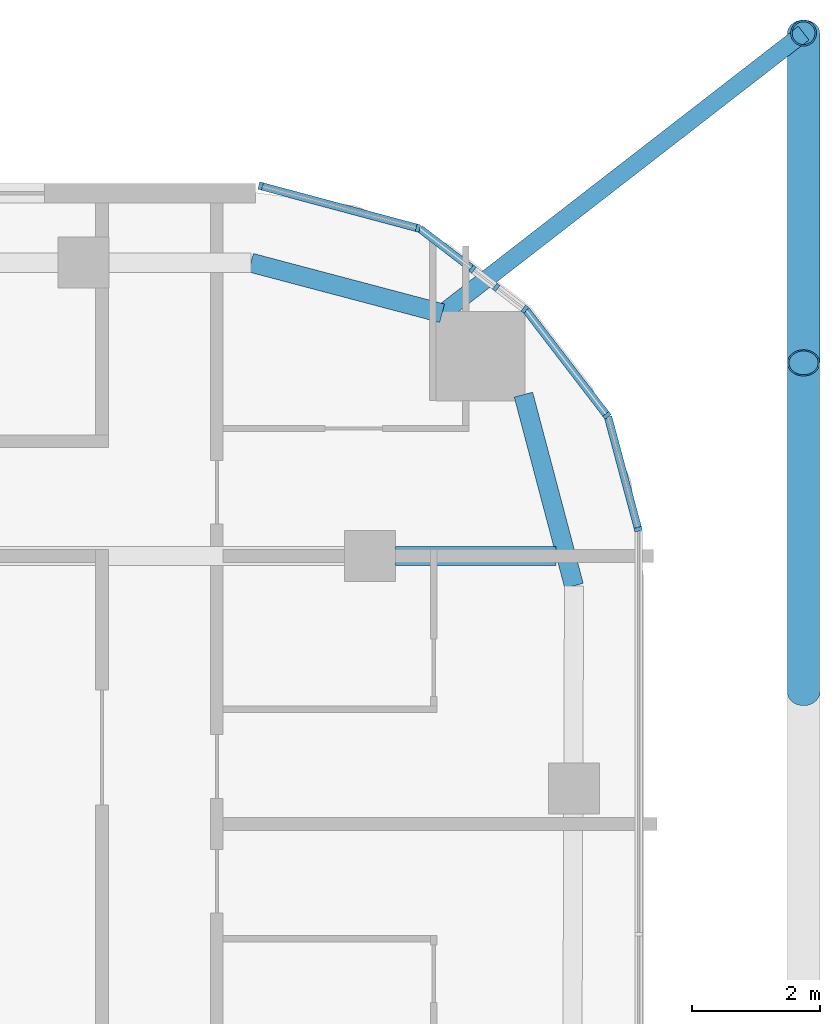
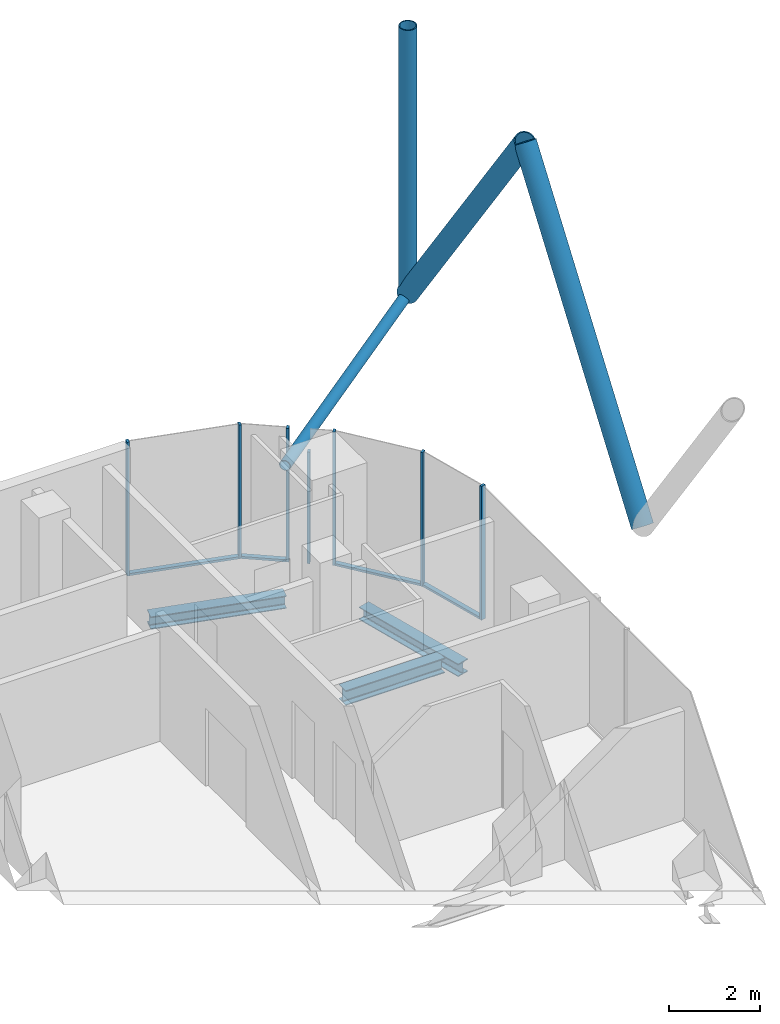
# One storey, part 11 of 28: 15 members, 3 beams, 6 elements without a shape of their own.
"""IFC4 building model written with IfcOpenShell, lengths in metres."""

import ifcopenshell
import ifcopenshell.guid

model = None  # the IFC model being written
_history = None  # IfcOwnerHistory: only IFC2X3 demands one
_inside = {}  # id of a spatial element -> (the spatial element, [elements in it])
_under = {}  # id of a project, library or spatial element -> (it, [spatial elements below it])
_declared = {}  # id of a project -> (the project, [libraries it declares])
_typed = {}  # id of a type object -> (the type object, [elements of that type])
_made_of = {}  # id of a material, layer set ... -> (it, [elements and type objects made of it])


def new_model(schema):
    """Start an empty IFC model of exactly this schema.

    Asked for "IFC4X3", IfcOpenShell would pick the latest addendum, in which some entities
    have other attributes; the version numbers below select the first issue.
    IFC2X3 requires an IfcOwnerHistory on every rooted entity: one is made here for all.
    """
    global model, _history
    if schema == "IFC4X3":
        model = ifcopenshell.file(schema_version=(4, 3, 0, 0))
    else:
        model = ifcopenshell.file(schema=schema)
    _inside.clear()
    _under.clear()
    _declared.clear()
    _typed.clear()
    _made_of.clear()
    _history = None
    if model.schema == "IFC2X3":
        org = make("IfcOrganization", Name="unknown")
        user = make(
            "IfcPersonAndOrganization",
            ThePerson=make("IfcPerson", FamilyName="unknown"),
            TheOrganization=org,
        )
        app = make(
            "IfcApplication",
            ApplicationDeveloper=org,
            Version="unknown",
            ApplicationFullName="unknown",
            ApplicationIdentifier="unknown",
        )
        _history = make(
            "IfcOwnerHistory",
            OwningUser=user,
            OwningApplication=app,
            ChangeAction="ADDED",
            CreationDate=0,
        )
    return model


def make(cls, **values):
    """One entity of the class cls with the attributes given. An attribute that is None is left unset."""
    return model.create_entity(
        cls, **{name: value for name, value in values.items() if value is not None}
    )


def rooted(cls, **values):
    """An entity with a GlobalId (a new one), such as an element, a storey or a relation."""
    return make(cls, GlobalId=ifcopenshell.guid.new(), OwnerHistory=_history, **values)


def si_unit(unit_type, name, prefix=None):
    """IfcSIUnit, for example si_unit("LENGTHUNIT", "METRE", prefix="MILLI")."""
    return make("IfcSIUnit", UnitType=unit_type, Prefix=prefix, Name=name)


def assignment(units):
    """IfcUnitAssignment: the units of a project."""
    return None if units is None else make("IfcUnitAssignment", Units=units)


def point(xyz):
    """IfcCartesianPoint."""
    return None if xyz is None else make("IfcCartesianPoint", Coordinates=xyz)


def direction(xyz):
    """IfcDirection."""
    return None if xyz is None else make("IfcDirection", DirectionRatios=xyz)


def frame(location, z_axis=None, x_axis=None):
    """IfcAxis2Placement3D, a coordinate frame: its origin and axes. An axis left out is left unset."""
    return make(
        "IfcAxis2Placement3D",
        Location=point(location),
        Axis=direction(z_axis),
        RefDirection=direction(x_axis),
    )


def frame_2d(location, x_axis=None):
    """IfcAxis2Placement2D, a coordinate frame in the plane: its origin and x axis."""
    return make(
        "IfcAxis2Placement2D", Location=point(location), RefDirection=direction(x_axis)
    )


def origin():
    """The frame at (0, 0, 0) with its axes left unset."""
    return frame((0.0, 0.0, 0.0))


def origin_2d():
    """The frame at (0, 0) in the plane with its x axis left unset."""
    return frame_2d((0.0, 0.0))


def place(relative_to, where):
    """IfcLocalPlacement: puts the frame where relative to a parent placement (None: the world)."""
    return make(
        "IfcLocalPlacement", PlacementRelTo=relative_to, RelativePlacement=where
    )


def context(
    kind, dimensions, precision=None, world=None, true_north=None, identifier=None
):
    """IfcGeometricRepresentationContext, for example the 3D "Model" context."""
    return make(
        "IfcGeometricRepresentationContext",
        ContextIdentifier=identifier,
        ContextType=kind,
        CoordinateSpaceDimension=dimensions,
        Precision=precision,
        WorldCoordinateSystem=world,
        TrueNorth=true_north,
    )


def subcontext(parent, identifier, kind, view, scale=None):
    """IfcGeometricRepresentationSubContext, for example "Body" below "Model"."""
    return make(
        "IfcGeometricRepresentationSubContext",
        ContextIdentifier=identifier,
        ContextType=kind,
        ParentContext=parent,
        TargetScale=scale,
        TargetView=view,
    )


def project(units=None, contexts=None):
    """IfcProject with its units and contexts."""
    return rooted(
        "IfcProject",
        Name="project",
        RepresentationContexts=contexts,
        UnitsInContext=assignment(units),
    )


def spatial(cls, under=None, at=None, **own):
    """A site, building, storey or space (cls), placed at a placement, below another one or the project."""
    s = rooted(cls, ObjectPlacement=at, **own)
    if under is not None:
        _under.setdefault(under.id(), (under, []))[1].append(s)
    return s


def profile(cls, at=None, kind="AREA", **sizes):
    """A parametric profile (cls). Its sizes go by their IFC names, for example OverallWidth=200.0."""
    return make(cls, ProfileType=kind, Position=at, **sizes)


def rectangle(**sizes):
    """IfcRectangleProfileDef."""
    return profile("IfcRectangleProfileDef", **sizes)


def hollow_circle(**sizes):
    """IfcCircleHollowProfileDef."""
    return profile("IfcCircleHollowProfileDef", **sizes)


def i_section(**sizes):
    """IfcIShapeProfileDef."""
    return profile("IfcIShapeProfileDef", **sizes)


def extrude(swept, where, along, depth):
    """IfcExtrudedAreaSolid: the profile swept, set in the frame where, extruded along a direction by depth."""
    return make(
        "IfcExtrudedAreaSolid",
        SweptArea=swept,
        Position=where,
        ExtrudedDirection=direction(along),
        Depth=depth,
    )


def shape(context_of_items, identifier, shape_type, items):
    """IfcShapeRepresentation: the items that make up one representation, for example the "Body"."""
    return make(
        "IfcShapeRepresentation",
        ContextOfItems=context_of_items,
        RepresentationIdentifier=identifier,
        RepresentationType=shape_type,
        Items=items,
    )


def material(Name=None, Category=None):
    """IfcMaterial."""
    return make("IfcMaterial", Name=Name, Category=Category)


def layer(
    of_material, thickness, ventilated=None, Name=None, Category=None, Priority=None
):
    """IfcMaterialLayer: one layer of a wall or slab, of a material (None: an air gap)."""
    return make(
        "IfcMaterialLayer",
        Material=of_material,
        LayerThickness=thickness,
        IsVentilated=ventilated,
        Name=Name,
        Category=Category,
        Priority=Priority,
    )


def layer_set(layers, Name=None):
    """IfcMaterialLayerSet."""
    return make("IfcMaterialLayerSet", MaterialLayers=layers, LayerSetName=Name)


def material_profile(
    of_material, cross_section, Name=None, Category=None, Priority=None
):
    """IfcMaterialProfile: a cross section and its material."""
    return make(
        "IfcMaterialProfile",
        Name=Name,
        Material=of_material,
        Profile=cross_section,
        Priority=Priority,
        Category=Category,
    )


def profile_set(profiles, Name=None, composite=None):
    """IfcMaterialProfileSet."""
    return make(
        "IfcMaterialProfileSet",
        Name=Name,
        MaterialProfiles=profiles,
        CompositeProfile=composite,
    )


def made_of(thing, what):
    """Note that an element or type object is made of a material, layer set ...; save() writes the relation."""
    if what is not None:
        _made_of.setdefault(what.id(), (what, []))[1].append(thing)
    return thing


def type_object(cls, material=None, **own):
    """A type object (cls), such as IfcWallType, which elements share."""
    return made_of(rooted(cls, **own), material)


def element(
    cls,
    number,
    at=None,
    inside=None,
    cuts=None,
    type_object=None,
    material=None,
    context=None,
    identifier="Body",
    shape_type=None,
    held_by="IfcProductDefinitionShape",
    body=None,
    shapes=None,
    **own,
):
    """One element of the class cls, such as IfcWall. Its Tag is "e" and its number.

    at: its placement. inside: the storey or other place that contains it. cuts: it is an
    opening in that element (IfcRelVoidsElement). A single representation is given by context,
    identifier, shape_type and body (its items); several are given by shapes. held_by: the class
    of the entity that holds the representations. save() writes the other relations.
    """
    e = rooted(cls, Tag="e%d" % number, ObjectPlacement=at, **own)
    if body is not None:
        shapes = [shape(context, identifier, shape_type, body)]
    if shapes is not None:
        e.Representation = make(held_by, Representations=shapes)
    if inside is not None:
        _inside.setdefault(inside.id(), (inside, []))[1].append(e)
    if cuts is not None:
        rooted(
            "IfcRelVoidsElement", RelatingBuildingElement=cuts, RelatedOpeningElement=e
        )
    if type_object is not None:
        _typed.setdefault(type_object.id(), (type_object, []))[1].append(e)
    return made_of(e, material)


def aggregate(whole, parts):
    """IfcRelAggregates: a whole, such as a stair, and the parts it consists of."""
    return rooted("IfcRelAggregates", RelatingObject=whole, RelatedObjects=parts)


def save(model, path):
    """Write the relations noted so far, then the file.

    IfcRelAggregates (storeys below a building ...), IfcRelContainedInSpatialStructure (elements
    in a storey), IfcRelDefinesByType, IfcRelAssociatesMaterial and IfcRelDeclares: one each for
    every whole, place, type object, material and project.
    """
    for whole, parts in _under.values():
        aggregate(whole, parts)
    for where, things in _inside.values():
        rooted(
            "IfcRelContainedInSpatialStructure",
            RelatedElements=things,
            RelatingStructure=where,
        )
    for kind, things in _typed.values():
        rooted("IfcRelDefinesByType", RelatedObjects=things, RelatingType=kind)
    for what, things in _made_of.values():
        rooted("IfcRelAssociatesMaterial", RelatedObjects=things, RelatingMaterial=what)
    for by, libraries in _declared.values():
        rooted("IfcRelDeclares", RelatingContext=by, RelatedDefinitions=libraries)
    model.write(path)


model = new_model("IFC4")

# Units and contexts
model_context = context("Model", 3, precision=1e-05, world=origin(), true_north=direction((0.0, 1.0)))
body_context = subcontext(model_context, "Body", "Model", "MODEL_VIEW")
ifc_project = project(units=[si_unit("LENGTHUNIT", "METRE"), si_unit("AREAUNIT", "SQUARE_METRE"), si_unit("VOLUMEUNIT", "CUBIC_METRE"), si_unit("PLANEANGLEUNIT", "RADIAN"), si_unit("MASSUNIT", "GRAM", prefix="KILO")], contexts=[model_context])

# Site, building, storey
site_placement = place(None, origin())
site = spatial("IfcSite", under=ifc_project, at=site_placement, CompositionType="ELEMENT")
building_placement = place(site_placement, origin())
building = spatial("IfcBuilding", under=site, at=building_placement, Name="Marenta Gate Hotel Tower", CompositionType="ELEMENT")
storey_placement = place(building_placement, frame((0.0, 0.0, 212.89990234375)))
storey = spatial("IfcBuildingStorey", under=building, at=storey_placement, Name="L49", CompositionType="ELEMENT", Elevation=212.89990234375)

# Members
ifc_material_1 = material(Name="Steel S355J2W", Category="steel")
ifc_material_profile_1 = material_profile(ifc_material_1, hollow_circle(Radius=0.203125, WallThickness=0.02490234375, at=origin_2d()), Name="CHS 406.4x25")
ifc_profile_set_1 = profile_set([ifc_material_profile_1], Name="Steel S355J2W")
member_type_1 = type_object("IfcMemberType", Name="Diagrid corner post Z3 CHS 406.4x25", PredefinedType="POST", material=ifc_profile_set_1)
member_1_placement = place(storey_placement, frame((27.800048828125, 25.0, 3.14013671875), z_axis=(0.0, 0.0, 1.0), x_axis=(1.0, 0.0, 0.0)))
element("IfcMember", 1, at=member_1_placement, inside=storey, type_object=member_type_1, Name="L49-DR-1", PredefinedType="POST", context=body_context, shape_type="SweptSolid", body=[
    extrude(hollow_circle(Radius=0.203125, WallThickness=0.02490234375, at=origin_2d()), origin(), (0.0, 0.0, 1.0), 7.199951171875),
])
ifc_material_2 = material(Name="Steel S355J2W", Category="steel")
ifc_material_profile_2 = material_profile(ifc_material_2, hollow_circle(Radius=0.25390625, WallThickness=0.02490234375, at=origin_2d()), Name="CHS 508x25")
ifc_profile_set_2 = profile_set([ifc_material_profile_2], Name="Steel S355J2W")
member_type_2 = type_object("IfcMemberType", Name="Diagrid diagonal Z3 CHS 508x25", PredefinedType="BRACE", material=ifc_profile_set_2)
member_2_placement = place(storey_placement, frame((27.800048828125, 25.0, 3.14013671875), z_axis=(0.0, -0.583260841117, 0.812284919975), x_axis=(1.0, 0.0, 0.0)))
element("IfcMember", 2, at=member_2_placement, inside=storey, type_object=member_type_2, Name="L49-DG-1", PredefinedType="BRACE", context=body_context, shape_type="SweptSolid", body=[
    extrude(hollow_circle(Radius=0.25390625, WallThickness=0.02490234375, at=origin_2d()), origin(), (0.0, 0.0, 1.0), 8.86376953125),
])
member_3_placement = place(storey_placement, frame((27.800048828125, 14.659912109375, 3.14013671875), z_axis=(0.0, 0.583279014058, 0.812271870595), x_axis=(-1.0, 0.0, 0.0)))
element("IfcMember", 3, at=member_3_placement, inside=storey, type_object=member_type_2, Name="L49-DG-2", PredefinedType="BRACE", context=body_context, shape_type="SweptSolid", body=[
    extrude(hollow_circle(Radius=0.25390625, WallThickness=0.02490234375, at=origin_2d()), origin(), (0.0, 0.0, 1.0), 8.864013671875),
])

# Beams
ifc_material_3 = material(Name="Steel S355", Category="steel")
ifc_material_profile_3 = material_profile(ifc_material_3, i_section(OverallWidth=0.300048828125, OverallDepth=0.340087890625, WebThickness=0.011962890625, FlangeThickness=0.021484375, FilletRadius=0.027099609375, at=origin_2d()), Name="HEB 340")
ifc_profile_set_3 = profile_set([ifc_material_profile_3], Name="Steel S355")
beam_type_1 = type_object("IfcBeamType", Name="Edge beam HEB 340", PredefinedType="SPANDREL", material=ifc_profile_set_3)
beam_1_placement = place(storey_placement, frame((19.134521484375, 21.39990234375, -0.429931640625), z_axis=(0.9667647815, -0.25566747398, 0.0), x_axis=(0.25566747398, 0.9667647815, 0.0)))
element("IfcBeam", 4, at=beam_1_placement, inside=storey, type_object=beam_type_1, Name="L49-EB-20", PredefinedType="SPANDREL", context=body_context, shape_type="SweptSolid", body=[
    extrude(i_section(OverallWidth=0.300048828125, OverallDepth=0.340087890625, WebThickness=0.011962890625, FlangeThickness=0.021484375, FilletRadius=0.027099609375, at=origin_2d()), origin(), (0.0, 0.0, 1.0), 3.1005859375),
])
beam_2_placement = place(storey_placement, frame((23.4072265625, 19.332275390625, -0.429931640625), z_axis=(0.255648013319, -0.966769927794, 0.0), x_axis=(0.966769927794, 0.255648013319, 0.0)))
element("IfcBeam", 5, at=beam_2_placement, inside=storey, type_object=beam_type_1, Name="L49-EB-21", PredefinedType="SPANDREL", context=body_context, shape_type="SweptSolid", body=[
    extrude(i_section(OverallWidth=0.300048828125, OverallDepth=0.340087890625, WebThickness=0.011962890625, FlangeThickness=0.021484375, FilletRadius=0.027099609375, at=origin_2d()), origin(), (0.0, 0.0, 1.0), 3.100830078125),
])

# Member
ifc_material_4 = material(Name="Steel S355J2W", Category="steel")
ifc_material_profile_4 = material_profile(ifc_material_4, hollow_circle(Radius=0.136474609375, WallThickness=0.012451171875, at=origin_2d()), Name="CHS 273x12.5")
ifc_profile_set_4 = profile_set([ifc_material_profile_4], Name="Steel S355J2W")
member_type_3 = type_object("IfcMemberType", Name="Floor tie CHS 273x12.5", PredefinedType="STRUT", material=ifc_profile_set_4)
member_4_placement = place(storey_placement, frame((27.800048828125, 25.0, 3.14013671875), z_axis=(-0.790398962363, -0.61259242592, 0.0), x_axis=(0.61259242592, -0.790398962363, 0.0)))
element("IfcMember", 6, at=member_4_placement, inside=storey, type_object=member_type_3, Name="L49-DR-7", PredefinedType="STRUT", context=body_context, shape_type="SweptSolid", body=[
    extrude(hollow_circle(Radius=0.136474609375, WallThickness=0.012451171875, at=origin_2d()), origin(), (0.0, 0.0, 1.0), 7.163330078125),
])

# Beam
ifc_material_5 = material(Name="Steel S355", Category="steel")
ifc_material_profile_5 = material_profile(ifc_material_5, i_section(OverallWidth=0.300048828125, OverallDepth=0.39990234375, WebThickness=0.013427734375, FlangeThickness=0.02392578125, FilletRadius=0.027099609375, at=origin_2d()), Name="HEB 400")
ifc_profile_set_5 = profile_set([ifc_material_profile_5], Name="Steel S355")
beam_type_2 = type_object("IfcBeamType", Name="Girder HEB 400", PredefinedType="BEAM", material=ifc_profile_set_5)
beam_3_placement = place(storey_placement, frame((21.39990234375, 16.800048828125, -0.4599609375), z_axis=(1.0, 0.0, 0.0), x_axis=(0.0, 1.0, 0.0)))
element("IfcBeam", 7, at=beam_3_placement, inside=storey, type_object=beam_type_2, Name="L49-GD-33", PredefinedType="BEAM", context=body_context, shape_type="SweptSolid", body=[
    extrude(i_section(OverallWidth=0.300048828125, OverallDepth=0.39990234375, WebThickness=0.013427734375, FlangeThickness=0.02392578125, FilletRadius=0.027099609375, at=origin_2d()), origin(), (0.0, 0.0, 1.0), 2.521728515625),
])

# Curtain wall, member
ifc_material_6 = material(Name="Tinted insulated glass in bronze anodised frame", Category="glass")
ifc_layer = layer(ifc_material_6, 0.1201171875)
ifc_layer_set = layer_set([ifc_layer], Name="Tinted insulated glass in bronze anodised frame")
curtain_wall_type = type_object("IfcCurtainWallType", Name="Tower unitised curtain wall CW1", PredefinedType="NOTDEFINED", material=ifc_layer_set)
curtain_wall_1_placement = place(storey_placement, origin())
curtain_wall_1 = element("IfcCurtainWall", 8, at=curtain_wall_1_placement, inside=storey, type_object=curtain_wall_type, Name="CW1 run G20", PredefinedType="NOTDEFINED")
ifc_material_7 = material(Name="Bronze anodised aluminium", Category="aluminium")
ifc_material_profile_6 = material_profile(ifc_material_7, rectangle(XDim=0.1201171875, YDim=0.06005859375, at=origin_2d()), Name="Mullion CW1 60x120 bronze anodised aluminium")
ifc_profile_set_6 = profile_set([ifc_material_profile_6], Name="Bronze anodised aluminium")
member_type_4 = type_object("IfcMemberType", Name="Mullion CW1 60x120 bronze anodised aluminium", PredefinedType="MULLION", material=ifc_profile_set_6)
member_5_placement = place(storey_placement, frame((25.206298828125, 17.220947265625, 0.0), z_axis=(0.0, 0.0, 1.0), x_axis=(-0.965924453932, -0.258824166754, 0.0)))
member_5 = element("IfcMember", 9, at=member_5_placement, type_object=member_type_4, Name="CW1 mullion 1", PredefinedType="MULLION", context=body_context, shape_type="SweptSolid", body=[
    extrude(rectangle(XDim=0.1201171875, YDim=0.06005859375, at=origin_2d()), origin(), (0.0, 0.0, 1.0), 3.60009765625),
])

curtain_wall_2_placement = place(storey_placement, origin())
curtain_wall_2 = element("IfcCurtainWall", 10, at=curtain_wall_2_placement, inside=storey, type_object=curtain_wall_type, Name="CW1 run G21", PredefinedType="NOTDEFINED")
member_6_placement = place(storey_placement, frame((24.7158203125, 19.00634765625, 0.0), z_axis=(0.0, 0.0, 1.0), x_axis=(-0.793333335233, -0.608787499222, 0.0)))
member_6 = element("IfcMember", 11, at=member_6_placement, type_object=member_type_4, Name="CW1 mullion 1", PredefinedType="MULLION", context=body_context, shape_type="SweptSolid", body=[
    extrude(rectangle(XDim=0.1201171875, YDim=0.06005859375, at=origin_2d()), origin(), (0.0, 0.0, 1.0), 3.60009765625),
])

curtain_wall_3_placement = place(storey_placement, origin())
curtain_wall_3 = element("IfcCurtainWall", 12, at=curtain_wall_3_placement, inside=storey, type_object=curtain_wall_type, Name="CW1 run G22", PredefinedType="NOTDEFINED")
member_7_placement = place(storey_placement, frame((23.4287109375, 20.6708984375, 0.0), z_axis=(0.0, 0.0, 1.0), x_axis=(-0.608769572677, -0.793347091368, 0.0)))
member_7 = element("IfcMember", 13, at=member_7_placement, type_object=member_type_4, Name="CW1 mullion 1", PredefinedType="MULLION", context=body_context, shape_type="SweptSolid", body=[
    extrude(rectangle(XDim=0.1201171875, YDim=0.06005859375, at=origin_2d()), origin(), (0.0, 0.0, 1.0), 3.60009765625),
])
aggregate(curtain_wall_3, [member_7])

curtain_wall_4_placement = place(storey_placement, origin())
curtain_wall_4 = element("IfcCurtainWall", 14, at=curtain_wall_4_placement, inside=storey, type_object=curtain_wall_type, Name="CW1 run G23", PredefinedType="NOTDEFINED")
member_8_placement = place(storey_placement, frame((22.98046875, 21.014892578125, 0.0), z_axis=(0.0, 0.0, 1.0), x_axis=(-0.608843780404, -0.793290143052, 0.0)))
member_8 = element("IfcMember", 15, at=member_8_placement, type_object=member_type_4, Name="CW1 mullion 1", PredefinedType="MULLION", context=body_context, shape_type="SweptSolid", body=[
    extrude(rectangle(XDim=0.1201171875, YDim=0.06005859375, at=origin_2d()), origin(), (0.0, 0.0, 1.0), 3.00048828125),
])
aggregate(curtain_wall_4, [member_8])

curtain_wall_5_placement = place(storey_placement, origin())
curtain_wall_5 = element("IfcCurtainWall", 16, at=curtain_wall_5_placement, inside=storey, type_object=curtain_wall_type, Name="CW1 run G24", PredefinedType="NOTDEFINED")
member_9_placement = place(storey_placement, frame((22.60888671875, 21.300048828125, 0.0), z_axis=(0.0, 0.0, 1.0), x_axis=(-0.60877235005, -0.793344960162, 0.0)))
member_9 = element("IfcMember", 17, at=member_9_placement, type_object=member_type_4, Name="CW1 mullion 1", PredefinedType="MULLION", context=body_context, shape_type="SweptSolid", body=[
    extrude(rectangle(XDim=0.1201171875, YDim=0.06005859375, at=origin_2d()), origin(), (0.0, 0.0, 1.0), 3.60009765625),
])

# Curtain wall, members
curtain_wall_6_placement = place(storey_placement, origin())
curtain_wall_6 = element("IfcCurtainWall", 18, at=curtain_wall_6_placement, inside=storey, type_object=curtain_wall_type, Name="CW1 run G25", PredefinedType="NOTDEFINED")
member_10_placement = place(storey_placement, frame((21.75341796875, 21.94189453125, 0.0), z_axis=(0.0, 0.0, 1.0), x_axis=(-0.258804895175, -0.96592961764, 0.0)))
member_10 = element("IfcMember", 19, at=member_10_placement, type_object=member_type_4, Name="CW1 mullion 1", PredefinedType="MULLION", context=body_context, shape_type="SweptSolid", body=[
    extrude(rectangle(XDim=0.1201171875, YDim=0.06005859375, at=origin_2d()), origin(), (0.0, 0.0, 1.0), 3.60009765625),
])
member_11_placement = place(storey_placement, frame((19.285400390625, 22.603271484375, 0.0), z_axis=(0.0, 0.0, 1.0), x_axis=(-0.258804895175, -0.96592961764, 0.0)))
member_11 = element("IfcMember", 20, at=member_11_placement, type_object=member_type_4, Name="CW1 mullion 2", PredefinedType="MULLION", context=body_context, shape_type="SweptSolid", body=[
    extrude(rectangle(XDim=0.1201171875, YDim=0.06005859375, at=origin_2d()), origin(), (0.0, 0.0, 1.0), 3.60009765625),
])

# Member
ifc_material_8 = material(Name="Bronze anodised aluminium", Category="aluminium")
ifc_material_profile_7 = material_profile(ifc_material_8, rectangle(XDim=0.1201171875, YDim=0.06005859375, at=origin_2d()), Name="Transom CW1 60x120 bronze anodised aluminium")
ifc_profile_set_7 = profile_set([ifc_material_profile_7], Name="Bronze anodised aluminium")
member_type_5 = type_object("IfcMemberType", Name="Transom CW1 60x120 bronze anodised aluminium", PredefinedType="USERDEFINED", material=ifc_profile_set_7)
member_12_placement = place(storey_placement, frame((25.198486328125, 17.249755859375, 0.030029296875), z_axis=(-0.258865341007, 0.96591342015, 0.0), x_axis=(-0.96591342015, -0.258865341007, 0.0)))
member_12 = element("IfcMember", 21, at=member_12_placement, type_object=member_type_5, Name="CW1 transom 1.1", ObjectType="TRANSOM", PredefinedType="USERDEFINED", context=body_context, shape_type="SweptSolid", body=[
    extrude(rectangle(XDim=0.1201171875, YDim=0.06005859375, at=origin_2d()), origin(), (0.0, 0.0, 1.0), 1.793701171875),
])

aggregate(curtain_wall_1, [member_5, member_12])

member_13_placement = place(storey_placement, frame((24.69775390625, 19.030029296875, 0.030029296875), z_axis=(-0.608787337271, 0.79333345951, 0.0), x_axis=(-0.79333345951, -0.608787337271, 0.0)))
member_13 = element("IfcMember", 22, at=member_13_placement, type_object=member_type_5, Name="CW1 transom 1.1", ObjectType="TRANSOM", PredefinedType="USERDEFINED", context=body_context, shape_type="SweptSolid", body=[
    extrude(rectangle(XDim=0.1201171875, YDim=0.06005859375, at=origin_2d()), origin(), (0.0, 0.0, 1.0), 2.045166015625),
])

aggregate(curtain_wall_2, [member_6, member_13])

member_14_placement = place(storey_placement, frame((22.585205078125, 21.318359375, 0.030029296875), z_axis=(-0.793466512091, 0.608613912255, 0.0), x_axis=(-0.608613912255, -0.793466512091, 0.0)))
member_14 = element("IfcMember", 23, at=member_14_placement, type_object=member_type_5, Name="CW1 transom 1.1", ObjectType="TRANSOM", PredefinedType="USERDEFINED", context=body_context, shape_type="SweptSolid", body=[
    extrude(rectangle(XDim=0.1201171875, YDim=0.06005859375, at=origin_2d()), origin(), (0.0, 0.0, 1.0), 1.01171875),
])

aggregate(curtain_wall_5, [member_9, member_14])

member_15_placement = place(storey_placement, frame((21.724609375, 21.94970703125, 0.030029296875), z_axis=(-0.965930582093, 0.258801295547, 0.0), x_axis=(-0.258801295547, -0.965930582093, 0.0)))
member_15 = element("IfcMember", 24, at=member_15_placement, type_object=member_type_5, Name="CW1 transom 1.1", ObjectType="TRANSOM", PredefinedType="USERDEFINED", context=body_context, shape_type="SweptSolid", body=[
    extrude(rectangle(XDim=0.1201171875, YDim=0.06005859375, at=origin_2d()), origin(), (0.0, 0.0, 1.0), 2.4951171875),
])

aggregate(curtain_wall_6, [member_10, member_11, member_15])

save(model, "model.ifc")
